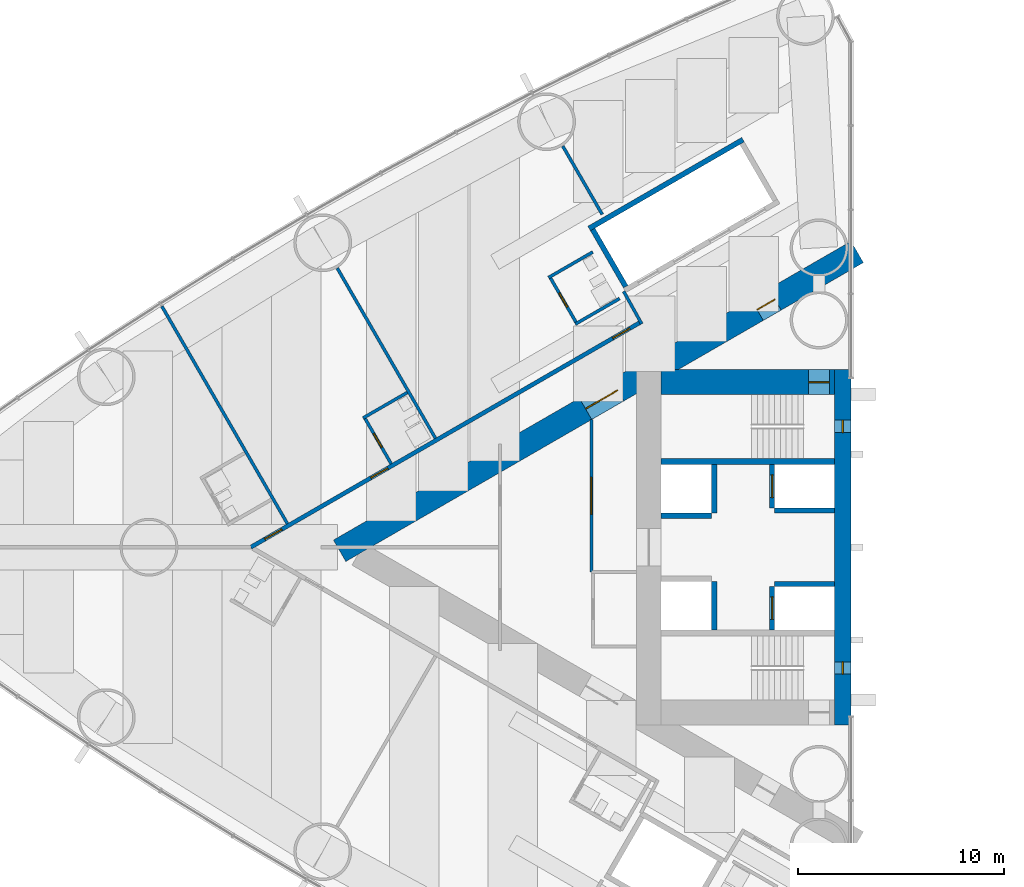
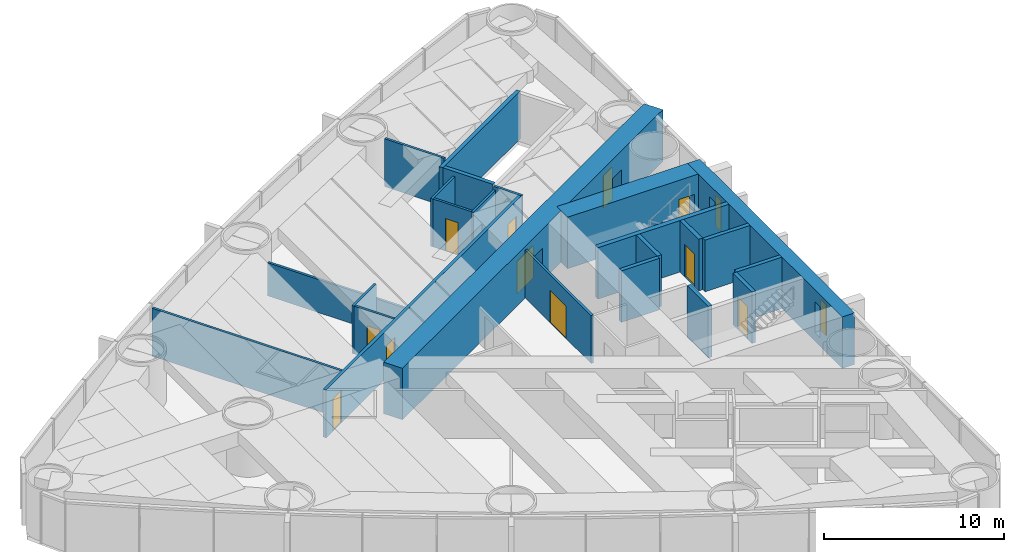
# One storey, part 12 of 19: 24 walls, 11 doors, 2 windows, 13 openings.
"""IFC4 building model written with IfcOpenShell, lengths in metres."""

from ifc_helpers import new_model, si_unit, direction, frame, frame_2d, origin, place, context, subcontext, project, spatial, rectangle, extrude, material, layer, layer_set, type_object, element, fill, save


model = new_model("IFC4")

# Units and contexts
model_context = context("Model", 3, precision=1e-05, world=origin(), true_north=direction((0.0, 1.0)))
body_context = subcontext(model_context, "Body", "Model", "MODEL_VIEW")
ifc_project = project(units=[si_unit("LENGTHUNIT", "METRE"), si_unit("AREAUNIT", "SQUARE_METRE"), si_unit("VOLUMEUNIT", "CUBIC_METRE"), si_unit("PLANEANGLEUNIT", "RADIAN"), si_unit("MASSUNIT", "GRAM", prefix="KILO")], contexts=[model_context])

# Site, building, storey
site_placement = place(None, origin())
site = spatial("IfcSite", under=ifc_project, at=site_placement, CompositionType="ELEMENT")
building_placement = place(site_placement, origin())
building = spatial("IfcBuilding", under=site, at=building_placement, Name="Lancet Gate Hotel", CompositionType="ELEMENT")
storey_placement = place(building_placement, frame((0.0, 0.0, 63.5)))
storey = spatial("IfcBuildingStorey", under=building, at=storey_placement, Name="L16", CompositionType="ELEMENT", Elevation=63.5)

# Wall
ifc_material_1 = material(Name="Moisture resistant board partition")
ifc_layer_1 = layer(ifc_material_1, 0.14990234375)
ifc_layer_set_1 = layer_set([ifc_layer_1], Name="Bathroom wall 150")
wall_type_1 = type_object("IfcWallType", Name="Bathroom wall 150", PredefinedType="PARTITIONING", material=ifc_layer_set_1)
wall_1_placement = place(storey_placement, frame((-48.99169921875, 7.491943359375, 0.0), z_axis=(0.0, 0.0, 1.0), x_axis=(-0.866031185235, -0.4999899861, 0.0)))
element("IfcWall", 1, at=wall_1_placement, inside=storey, type_object=wall_type_1, Name="T1 bathroom wall 150 L16", PredefinedType="PARTITIONING", context=body_context, shape_type="SweptSolid", body=[
    extrude(rectangle(XDim=2.47509765625, YDim=0.14990234375, at=frame_2d((1.237548828125, 0.0))), origin(), (0.0, 0.0, 1.0), 3.25),
])

# Wall, opening, door
wall_2_placement = place(storey_placement, frame((-49.770263671875, 4.040283203125, 0.0), z_axis=(0.0, 0.0, 1.0), x_axis=(-0.500006934395, 0.866021400173, 0.0)))
wall_2 = element("IfcWall", 2, at=wall_2_placement, inside=storey, type_object=wall_type_1, Name="T1 bathroom wall 150 L16", PredefinedType="PARTITIONING", context=body_context, shape_type="SweptSolid", body=[
    extrude(rectangle(XDim=2.60009765625, YDim=0.14990234375, at=frame_2d((1.300048828125, 0.0))), origin(), (0.0, 0.0, 1.0), 3.25),
])
opening_1_placement = place(wall_2_placement, frame((0.89990234375, 0.0, 0.0)))
opening_1 = element("IfcOpeningElement", 3, at=opening_1_placement, cuts=wall_2, Name="Opening 1603-B", PredefinedType="OPENING", context=body_context, shape_type="SweptSolid", body=[
    extrude(rectangle(XDim=0.800048828125, YDim=2.199951171875, at=frame_2d((0.39990234375, 1.10009765625))), frame((0.0, 0.0849609375, 0.0), z_axis=(0.0, -1.0, 0.0), x_axis=(1.0, 0.0, 0.0)), (0.0, 0.0, 1.0), 0.169921875),
])
ifc_material_2 = material(Name="Timber door set", Category="wood")
door_type_1 = type_object("IfcDoorType", Name="Bathroom door 800", OperationType="SINGLE_SWING_RIGHT", PredefinedType="DOOR", material=ifc_material_2)
door_1_placement = place(opening_1_placement, origin())
door_1 = element("IfcDoor", 4, at=door_1_placement, inside=storey, type_object=door_type_1, Name="1603-B", OperationType="SINGLE_SWING_RIGHT", OverallHeight=2.199951171875, OverallWidth=0.800048828125, PredefinedType="DOOR", context=body_context, shape_type="SweptSolid", body=[
    extrude(rectangle(XDim=0.800048828125, YDim=2.199951171875, at=frame_2d((0.39990234375, 1.10009765625))), frame((0.0, 0.02490234375, 0.0), z_axis=(0.0, -1.0, 0.0), x_axis=(1.0, 0.0, 0.0)), (0.0, 0.0, 1.0), 0.050048828125),
])
fill(opening_1, door_1)

# Wall
wall_3_placement = place(storey_placement, frame((-40.009765625, 14.294189453125, 0.0), z_axis=(0.0, 0.0, 1.0), x_axis=(-0.866031185235, -0.4999899861, 0.0)))
element("IfcWall", 5, at=wall_3_placement, inside=storey, type_object=wall_type_1, Name="T1 bathroom wall 150 L16", PredefinedType="PARTITIONING", context=body_context, shape_type="SweptSolid", body=[
    extrude(rectangle(XDim=2.47509765625, YDim=0.14990234375, at=frame_2d((1.237548828125, 0.0))), origin(), (0.0, 0.0, 1.0), 3.25),
])

# Wall, opening, door
wall_4_placement = place(storey_placement, frame((-40.788330078125, 10.842529296875, 0.0), z_axis=(0.0, 0.0, 1.0), x_axis=(-0.500006934395, 0.866021400173, 0.0)))
wall_4 = element("IfcWall", 6, at=wall_4_placement, inside=storey, type_object=wall_type_1, Name="T1 bathroom wall 150 L16", PredefinedType="PARTITIONING", context=body_context, shape_type="SweptSolid", body=[
    extrude(rectangle(XDim=2.60009765625, YDim=0.14990234375, at=frame_2d((1.300048828125, 0.0))), origin(), (0.0, 0.0, 1.0), 3.25),
])
opening_2_placement = place(wall_4_placement, frame((0.89990234375, 0.0, 0.0)))
opening_2 = element("IfcOpeningElement", 7, at=opening_2_placement, cuts=wall_4, Name="Opening 1602-B", PredefinedType="OPENING", context=body_context, shape_type="SweptSolid", body=[
    extrude(rectangle(XDim=0.800048828125, YDim=2.199951171875, at=frame_2d((0.39990234375, 1.10009765625))), frame((0.0, 0.0849609375, 0.0), z_axis=(0.0, -1.0, 0.0), x_axis=(1.0, 0.0, 0.0)), (0.0, 0.0, 1.0), 0.169921875),
])
door_2_placement = place(opening_2_placement, origin())
door_2 = element("IfcDoor", 8, at=door_2_placement, inside=storey, type_object=door_type_1, Name="1602-B", OperationType="SINGLE_SWING_RIGHT", OverallHeight=2.199951171875, OverallWidth=0.800048828125, PredefinedType="DOOR", context=body_context, shape_type="SweptSolid", body=[
    extrude(rectangle(XDim=0.800048828125, YDim=2.199951171875, at=frame_2d((0.39990234375, 1.10009765625))), frame((0.0, 0.02490234375, 0.0), z_axis=(0.0, -1.0, 0.0), x_axis=(1.0, 0.0, 0.0)), (0.0, 0.0, 1.0), 0.050048828125),
])
fill(opening_2, door_2)

# Wall
wall_5_placement = place(storey_placement, frame((-38.7099609375, 12.04248046875, 0.0), z_axis=(0.0, 0.0, 1.0), x_axis=(-0.86604923931, -0.499958713387, 0.0)))
element("IfcWall", 9, at=wall_5_placement, inside=storey, type_object=wall_type_1, Name="T1 bathroom wall 150 L16", PredefinedType="PARTITIONING", context=body_context, shape_type="SweptSolid", body=[
    extrude(rectangle(XDim=2.474853515625, YDim=0.14990234375, at=frame_2d((1.2373046875, 0.0))), origin(), (0.0, 0.0, 1.0), 3.25),
])

# Wall, openings, doors
ifc_material_3 = material(Name="Concrete C70/85", Category="concrete")
ifc_layer_2 = layer(ifc_material_3, 1.199951171875)
ifc_layer_set_2 = layer_set([ifc_layer_2], Name="Buttress wall 1200")
wall_type_2 = type_object("IfcWallType", Name="Buttress wall 1200", PredefinedType="SHEAR", material=ifc_layer_set_2)
wall_6_placement = place(storey_placement, frame((-27.199951171875, 14.300048828125, 0.0), z_axis=(0.0, 0.0, 1.0), x_axis=(-0.866026593062, -0.499997940104, 0.0)))
wall_6 = element("IfcWall", 10, at=wall_6_placement, inside=storey, type_object=wall_type_2, Name="T1 buttress wall S L16", PredefinedType="SHEAR", context=body_context, shape_type="SweptSolid", body=[
    extrude(rectangle(XDim=28.9462890625, YDim=1.199951171875, at=frame_2d((14.47314453125, 0.0))), origin(), (0.0, 0.0, 1.0), 3.5),
])
opening_3_placement = place(wall_6_placement, frame((4.60009765625, 0.0, 0.0)))
opening_3 = element("IfcOpeningElement", 11, at=opening_3_placement, cuts=wall_6, Name="Opening T1-L16-LS", PredefinedType="OPENING", context=body_context, shape_type="SweptSolid", body=[
    extrude(rectangle(XDim=1.0, YDim=2.199951171875, at=frame_2d((0.5, 1.10009765625))), frame((0.0, 0.60986328125, 0.0), z_axis=(0.0, -1.0, 0.0), x_axis=(1.0, 0.0, 0.0)), (0.0, 0.0, 1.0), 1.219970703125),
])
opening_4_placement = place(wall_6_placement, frame((13.39453125, 0.0, 0.0)))
opening_4 = element("IfcOpeningElement", 12, at=opening_4_placement, cuts=wall_6, Name="Opening T1-L16-LHS", PredefinedType="OPENING", context=body_context, shape_type="SweptSolid", body=[
    extrude(rectangle(XDim=1.800048828125, YDim=2.199951171875, at=frame_2d((0.89990234375, 1.10009765625))), frame((0.0, 0.60986328125, 0.0), z_axis=(0.0, -1.0, 0.0), x_axis=(1.0, 0.0, 0.0)), (0.0, 0.0, 1.0), 1.219970703125),
])
ifc_material_4 = material(Name="Timber door set", Category="wood")
door_type_2 = type_object("IfcDoorType", Name="Lobby double door 1800", OperationType="DOUBLE_DOOR_SINGLE_SWING", PredefinedType="DOOR", material=ifc_material_4)
door_3_placement = place(opening_4_placement, origin())
door_3 = element("IfcDoor", 13, at=door_3_placement, inside=storey, type_object=door_type_2, Name="T1-L16-LHS", OperationType="DOUBLE_DOOR_SINGLE_SWING", OverallHeight=2.199951171875, OverallWidth=1.800048828125, PredefinedType="DOOR", context=body_context, shape_type="SweptSolid", body=[
    extrude(rectangle(XDim=1.800048828125, YDim=2.199951171875, at=frame_2d((0.89990234375, 1.10009765625))), frame((0.0, 0.02490234375, 0.0), z_axis=(0.0, -1.0, 0.0), x_axis=(1.0, 0.0, 0.0)), (0.0, 0.0, 1.0), 0.050048828125),
])
fill(opening_4, door_3)
ifc_material_5 = material(Name="Timber door set", Category="wood")
door_type_3 = type_object("IfcDoorType", Name="Stair lobby door 1000", OperationType="SINGLE_SWING_LEFT", PredefinedType="DOOR", material=ifc_material_5)
door_4_placement = place(opening_3_placement, origin())
door_4 = element("IfcDoor", 14, at=door_4_placement, inside=storey, type_object=door_type_3, Name="T1-L16-LS", OperationType="SINGLE_SWING_LEFT", OverallHeight=2.199951171875, OverallWidth=1.0, PredefinedType="DOOR", context=body_context, shape_type="SweptSolid", body=[
    extrude(rectangle(XDim=1.0, YDim=2.199951171875, at=frame_2d((0.5, 1.10009765625))), frame((0.0, 0.02490234375, 0.0), z_axis=(0.0, -1.0, 0.0), x_axis=(1.0, 0.0, 0.0)), (0.0, 0.0, 1.0), 0.050048828125),
])
fill(opening_3, door_4)

# Wall, opening, door
ifc_material_6 = material(Name="Concrete C70/85", Category="concrete")
ifc_layer_3 = layer(ifc_material_6, 1.199951171875)
ifc_layer_set_3 = layer_set([ifc_layer_3], Name="Core wall 1200")
wall_type_3 = type_object("IfcWallType", Name="Core wall 1200", PredefinedType="SHEAR", material=ifc_layer_set_3)
wall_7_placement = place(storey_placement, frame((-28.300048828125, 8.0, 0.0), z_axis=(0.0, 0.0, 1.0), x_axis=(-1.0, 0.0, 0.0)))
wall_7 = element("IfcWall", 15, at=wall_7_placement, inside=storey, type_object=wall_type_3, Name="T1 core wall side-S L16", PredefinedType="SHEAR", context=body_context, shape_type="SweptSolid", body=[
    extrude(rectangle(XDim=8.39990234375, YDim=1.199951171875, at=frame_2d((4.199951171875, 0.0))), origin(), (0.0, 0.0, 1.0), 3.5),
])
opening_5_placement = place(wall_7_placement, frame((0.25, 0.0, 0.0)))
opening_5 = element("IfcOpeningElement", 16, at=opening_5_placement, cuts=wall_7, Name="Opening T1-L16-ST1", PredefinedType="OPENING", context=body_context, shape_type="SweptSolid", body=[
    extrude(rectangle(XDim=1.0, YDim=2.199951171875, at=frame_2d((0.5, 1.10009765625))), frame((0.0, 0.60986328125, 0.0), z_axis=(0.0, -1.0, 0.0), x_axis=(1.0, 0.0, 0.0)), (0.0, 0.0, 1.0), 1.219970703125),
])
ifc_material_7 = material(Name="Timber door set", Category="wood")
door_type_4 = type_object("IfcDoorType", Name="Stair door 1000", OperationType="SINGLE_SWING_RIGHT", PredefinedType="DOOR", material=ifc_material_7)
door_5_placement = place(opening_5_placement, origin())
door_5 = element("IfcDoor", 17, at=door_5_placement, inside=storey, type_object=door_type_4, Name="T1-L16-ST1", OperationType="SINGLE_SWING_RIGHT", OverallHeight=2.199951171875, OverallWidth=1.0, PredefinedType="DOOR", context=body_context, shape_type="SweptSolid", body=[
    extrude(rectangle(XDim=1.0, YDim=2.199951171875, at=frame_2d((0.5, 1.10009765625))), frame((0.0, 0.02490234375, 0.0), z_axis=(0.0, -1.0, 0.0), x_axis=(1.0, 0.0, 0.0)), (0.0, 0.0, 1.0), 0.050048828125),
])
fill(opening_5, door_5)

# Wall, openings, windows
ifc_material_8 = material(Name="Concrete C70/85", Category="concrete")
ifc_layer_4 = layer(ifc_material_8, 0.800048828125)
ifc_layer_set_4 = layer_set([ifc_layer_4], Name="Core wall 800")
wall_type_4 = type_object("IfcWallType", Name="Core wall 800", PredefinedType="SHEAR", material=ifc_layer_set_4)
wall_8_placement = place(storey_placement, frame((-27.89990234375, 8.60009765625, 0.0), z_axis=(0.0, 0.0, 1.0), x_axis=(0.0, -1.0, 0.0)))
wall_8 = element("IfcWall", 18, at=wall_8_placement, inside=storey, type_object=wall_type_4, Name="T1 core wall front L16", PredefinedType="SHEAR", context=body_context, shape_type="SweptSolid", body=[
    extrude(rectangle(XDim=17.2001953125, YDim=0.800048828125, at=frame_2d((8.60009765625, 0.0))), origin(), (0.0, 0.0, 1.0), 3.5),
])
opening_6_placement = place(wall_8_placement, frame((2.449951171875, 0.0, 0.60009765625)))
opening_6 = element("IfcOpeningElement", 19, at=opening_6_placement, cuts=wall_8, Name="Opening LW1", PredefinedType="OPENING", context=body_context, shape_type="SweptSolid", body=[
    extrude(rectangle(XDim=0.60009765625, YDim=2.10009765625, at=frame_2d((0.300048828125, 1.050048828125))), frame((0.0, 0.409912109375, 0.0), z_axis=(0.0, -1.0, 0.0), x_axis=(1.0, 0.0, 0.0)), (0.0, 0.0, 1.0), 0.820068359375),
])
opening_7_placement = place(wall_8_placement, frame((14.14990234375, 0.0, 0.60009765625)))
opening_7 = element("IfcOpeningElement", 20, at=opening_7_placement, cuts=wall_8, Name="Opening LW1", PredefinedType="OPENING", context=body_context, shape_type="SweptSolid", body=[
    extrude(rectangle(XDim=0.60009765625, YDim=2.10009765625, at=frame_2d((0.300048828125, 1.050048828125))), frame((0.0, 0.409912109375, 0.0), z_axis=(0.0, -1.0, 0.0), x_axis=(1.0, 0.0, 0.0)), (0.0, 0.0, 1.0), 0.820068359375),
])
ifc_material_9 = material(Name="Fire-resisting glazed steel window", Category="steel")
window_type = type_object("IfcWindowType", Name="Lancet window 600x2100", PartitioningType="SINGLE_PANEL", PredefinedType="WINDOW", material=ifc_material_9)
window_1_placement = place(opening_6_placement, origin())
window_1 = element("IfcWindow", 21, at=window_1_placement, inside=storey, type_object=window_type, Name="T1 stair window S L16", OverallHeight=2.10009765625, OverallWidth=0.60009765625, PartitioningType="SINGLE_PANEL", PredefinedType="WINDOW", context=body_context, shape_type="SweptSolid", body=[
    extrude(rectangle(XDim=0.60009765625, YDim=2.10009765625, at=frame_2d((0.300048828125, 1.050048828125))), frame((0.0, 0.030029296875, 0.0), z_axis=(0.0, -1.0, 0.0), x_axis=(1.0, 0.0, 0.0)), (0.0, 0.0, 1.0), 0.06005859375),
])
fill(opening_6, window_1)
window_2_placement = place(opening_7_placement, origin())
window_2 = element("IfcWindow", 22, at=window_2_placement, inside=storey, type_object=window_type, Name="T1 stair window N L16", OverallHeight=2.10009765625, OverallWidth=0.60009765625, PartitioningType="SINGLE_PANEL", PredefinedType="WINDOW", context=body_context, shape_type="SweptSolid", body=[
    extrude(rectangle(XDim=0.60009765625, YDim=2.10009765625, at=frame_2d((0.300048828125, 1.050048828125))), frame((0.0, 0.030029296875, 0.0), z_axis=(0.0, -1.0, 0.0), x_axis=(1.0, 0.0, 0.0)), (0.0, 0.0, 1.0), 0.06005859375),
])
fill(opening_7, window_2)

# Wall, openings, doors
ifc_material_10 = material(Name="Gypsum board partition")
ifc_layer_5 = layer(ifc_material_10, 0.199951171875)
ifc_layer_set_5 = layer_set([ifc_layer_5], Name="Corridor wall 200")
wall_type_5 = type_object("IfcWallType", Name="Corridor wall 200", PredefinedType="PARTITIONING", material=ifc_layer_set_5)
wall_9_placement = place(storey_placement, frame((-37.699951171875, 10.8935546875, 0.0), z_axis=(0.0, 0.0, 1.0), x_axis=(-0.866027905338, -0.499995667157, 0.0)))
wall_9 = element("IfcWall", 23, at=wall_9_placement, inside=storey, type_object=wall_type_5, Name="T1 corridor wall 200 L16", PredefinedType="PARTITIONING", context=body_context, shape_type="SweptSolid", body=[
    extrude(rectangle(XDim=21.787353515625, YDim=0.199951171875, at=frame_2d((10.8935546875, 0.0))), origin(), (0.0, 0.0, 1.0), 3.25),
])
opening_8_placement = place(wall_9_placement, frame((14.129638671875, 0.0, 0.0)))
opening_8 = element("IfcOpeningElement", 24, at=opening_8_placement, cuts=wall_9, Name="Opening 1603-E", PredefinedType="OPENING", context=body_context, shape_type="SweptSolid", body=[
    extrude(rectangle(XDim=0.949951171875, YDim=2.199951171875, at=frame_2d((0.47509765625, 1.10009765625))), frame((0.0, 0.10986328125, 0.0), z_axis=(0.0, -1.0, 0.0), x_axis=(1.0, 0.0, 0.0)), (0.0, 0.0, 1.0), 0.219970703125),
])
opening_9_placement = place(wall_9_placement, frame((20.05810546875, 0.0, 0.0)))
opening_9 = element("IfcOpeningElement", 25, at=opening_9_placement, cuts=wall_9, Name="Opening 1604-E", PredefinedType="OPENING", context=body_context, shape_type="SweptSolid", body=[
    extrude(rectangle(XDim=0.949951171875, YDim=2.199951171875, at=frame_2d((0.47509765625, 1.10009765625))), frame((0.0, 0.10986328125, 0.0), z_axis=(0.0, -1.0, 0.0), x_axis=(1.0, 0.0, 0.0)), (0.0, 0.0, 1.0), 0.219970703125),
])
opening_10_placement = place(wall_9_placement, frame((0.60009765625, 0.0, 0.0)))
opening_10 = element("IfcOpeningElement", 26, at=opening_10_placement, cuts=wall_9, Name="Opening 1602-E", PredefinedType="OPENING", context=body_context, shape_type="SweptSolid", body=[
    extrude(rectangle(XDim=0.949951171875, YDim=2.199951171875, at=frame_2d((0.47509765625, 1.10009765625))), frame((0.0, 0.10986328125, 0.0), z_axis=(0.0, -1.0, 0.0), x_axis=(1.0, 0.0, 0.0)), (0.0, 0.0, 1.0), 0.219970703125),
])
ifc_material_11 = material(Name="Timber door set", Category="wood")
door_type_5 = type_object("IfcDoorType", Name="Guest room entry door 950", OperationType="SINGLE_SWING_LEFT", PredefinedType="DOOR", material=ifc_material_11)
door_6_placement = place(opening_8_placement, origin())
door_6 = element("IfcDoor", 27, at=door_6_placement, inside=storey, type_object=door_type_5, Name="1603-E", OperationType="SINGLE_SWING_LEFT", OverallHeight=2.199951171875, OverallWidth=0.949951171875, PredefinedType="DOOR", context=body_context, shape_type="SweptSolid", body=[
    extrude(rectangle(XDim=0.949951171875, YDim=2.199951171875, at=frame_2d((0.47509765625, 1.10009765625))), frame((0.0, 0.02490234375, 0.0), z_axis=(0.0, -1.0, 0.0), x_axis=(1.0, 0.0, 0.0)), (0.0, 0.0, 1.0), 0.050048828125),
])
fill(opening_8, door_6)
door_7_placement = place(opening_9_placement, origin())
door_7 = element("IfcDoor", 28, at=door_7_placement, inside=storey, type_object=door_type_5, Name="1604-E", OperationType="SINGLE_SWING_LEFT", OverallHeight=2.199951171875, OverallWidth=0.949951171875, PredefinedType="DOOR", context=body_context, shape_type="SweptSolid", body=[
    extrude(rectangle(XDim=0.949951171875, YDim=2.199951171875, at=frame_2d((0.47509765625, 1.10009765625))), frame((0.0, 0.02490234375, 0.0), z_axis=(0.0, -1.0, 0.0), x_axis=(1.0, 0.0, 0.0)), (0.0, 0.0, 1.0), 0.050048828125),
])
fill(opening_9, door_7)
door_8_placement = place(opening_10_placement, origin())
door_8 = element("IfcDoor", 29, at=door_8_placement, inside=storey, type_object=door_type_5, Name="1602-E", OperationType="SINGLE_SWING_LEFT", OverallHeight=2.199951171875, OverallWidth=0.949951171875, PredefinedType="DOOR", context=body_context, shape_type="SweptSolid", body=[
    extrude(rectangle(XDim=0.949951171875, YDim=2.199951171875, at=frame_2d((0.47509765625, 1.10009765625))), frame((0.0, 0.02490234375, 0.0), z_axis=(0.0, -1.0, 0.0), x_axis=(1.0, 0.0, 0.0)), (0.0, 0.0, 1.0), 0.050048828125),
])
fill(opening_10, door_8)

# Walls
ifc_material_12 = material(Name="Gypsum board partition")
ifc_layer_6 = layer(ifc_material_12, 0.25)
ifc_layer_set_6 = layer_set([ifc_layer_6], Name="Lift shaft partition 250")
wall_type_6 = type_object("IfcWallType", Name="Lift shaft partition 250", PredefinedType="PARTITIONING", material=ifc_layer_set_6)
wall_10_placement = place(storey_placement, frame((-32.735595703125, 19.73583984375, 0.0), z_axis=(0.0, 0.0, 1.0), x_axis=(-0.866028165386, -0.499995216735, 0.0)))
element("IfcWall", 30, at=wall_10_placement, inside=storey, type_object=wall_type_6, Name="T1 lift shaft wall LR L16", PredefinedType="PARTITIONING", context=body_context, shape_type="SweptSolid", body=[
    extrude(rectangle(XDim=8.60009765625, YDim=0.25, at=frame_2d((4.300048828125, 0.0))), origin(), (0.0, 0.0, 1.0), 3.25),
])
wall_11_placement = place(storey_placement, frame((-38.412841796875, 12.617919921875, 0.0), z_axis=(0.0, 0.0, 1.0), x_axis=(-0.499872130319, 0.866099216793, 0.0)))
element("IfcWall", 31, at=wall_11_placement, inside=storey, type_object=wall_type_6, Name="T1 lift shaft wall LR L16", PredefinedType="PARTITIONING", context=body_context, shape_type="SweptSolid", body=[
    extrude(rectangle(XDim=3.200439453125, YDim=0.25, at=frame_2d((1.60009765625, 0.0))), origin(), (0.0, 0.0, 1.0), 3.25),
])

# Wall, opening, door
ifc_material_13 = material(Name="Concrete C50/60", Category="concrete")
ifc_layer_7 = layer(ifc_material_13, 0.25)
ifc_layer_set_7 = layer_set([ifc_layer_7], Name="Lift shaft wall 250")
wall_type_7 = type_object("IfcWallType", Name="Lift shaft wall 250", PredefinedType="SHEAR", material=ifc_layer_set_7)
wall_12_placement = place(storey_placement, frame((-31.324951171875, 4.0, 0.0), z_axis=(0.0, 0.0, 1.0), x_axis=(0.0, -1.0, 0.0)))
wall_12 = element("IfcWall", 32, at=wall_12_placement, inside=storey, type_object=wall_type_7, Name="T1 core wall row1-S L16", PredefinedType="SHEAR", context=body_context, shape_type="SweptSolid", body=[
    extrude(rectangle(XDim=2.10009765625, YDim=0.25, at=frame_2d((1.050048828125, 0.0))), origin(), (0.0, 0.0, 1.0), 3.5),
])
opening_11_placement = place(wall_12_placement, frame((0.5, 0.0, 0.0)))
opening_11 = element("IfcOpeningElement", 33, at=opening_11_placement, cuts=wall_12, Name="Opening T1-SL1-L16", PredefinedType="OPENING", context=body_context, shape_type="SweptSolid", body=[
    extrude(rectangle(XDim=1.10009765625, YDim=2.199951171875, at=frame_2d((0.550048828125, 1.10009765625))), frame((0.0, 0.135009765625, 0.0), z_axis=(0.0, -1.0, 0.0), x_axis=(1.0, 0.0, 0.0)), (0.0, 0.0, 1.0), 0.27001953125),
])
ifc_material_14 = material(Name="Timber door set", Category="wood")
door_type_6 = type_object("IfcDoorType", Name="Service lift landing door 1100", OperationType="SLIDING_TO_LEFT", PredefinedType="USERDEFINED", material=ifc_material_14)
door_9_placement = place(opening_11_placement, origin())
door_9 = element("IfcDoor", 34, at=door_9_placement, inside=storey, type_object=door_type_6, Name="T1-SL1-L16", ObjectType="LIFT LANDING DOOR", OperationType="SLIDING_TO_LEFT", OverallHeight=2.199951171875, OverallWidth=1.10009765625, PredefinedType="USERDEFINED", context=body_context, shape_type="SweptSolid", body=[
    extrude(rectangle(XDim=1.10009765625, YDim=2.199951171875, at=frame_2d((0.550048828125, 1.10009765625))), frame((0.0, 0.02490234375, 0.0), z_axis=(0.0, -1.0, 0.0), x_axis=(1.0, 0.0, 0.0)), (0.0, 0.0, 1.0), 0.050048828125),
])
fill(opening_11, door_9)

# Walls
wall_13_placement = place(storey_placement, frame((-34.125, 4.0, 0.0), z_axis=(0.0, 0.0, 1.0), x_axis=(0.0, -1.0, 0.0)))
element("IfcWall", 35, at=wall_13_placement, inside=storey, type_object=wall_type_7, Name="T1 core wall row2-S L16", PredefinedType="SHEAR", context=body_context, shape_type="SweptSolid", body=[
    extrude(rectangle(XDim=2.35009765625, YDim=0.25, at=frame_2d((1.175048828125, 0.0))), origin(), (0.0, 0.0, 1.0), 3.5),
])
wall_14_placement = place(storey_placement, frame((-28.300048828125, 1.77490234375, 0.0), z_axis=(0.0, 0.0, 1.0), x_axis=(-1.0, 0.0, 0.0)))
element("IfcWall", 36, at=wall_14_placement, inside=storey, type_object=wall_type_7, Name="T1 core wall pass1-S L16", PredefinedType="SHEAR", context=body_context, shape_type="SweptSolid", body=[
    extrude(rectangle(XDim=2.89990234375, YDim=0.25, at=frame_2d((1.449951171875, 0.0))), origin(), (0.0, 0.0, 1.0), 3.5),
])
wall_15_placement = place(storey_placement, frame((-34.25, 1.52490234375, 0.0), z_axis=(0.0, 0.0, 1.0), x_axis=(-1.0, 0.0, 0.0)))
element("IfcWall", 37, at=wall_15_placement, inside=storey, type_object=wall_type_7, Name="T1 core wall pass2-S L16", PredefinedType="SHEAR", context=body_context, shape_type="SweptSolid", body=[
    extrude(rectangle(XDim=2.449951171875, YDim=0.25, at=frame_2d((1.22509765625, 0.0))), origin(), (0.0, 0.0, 1.0), 3.5),
])

# Wall, opening, door
wall_16_placement = place(storey_placement, frame((-31.324951171875, -1.89990234375, 0.0), z_axis=(0.0, 0.0, 1.0), x_axis=(0.0, -1.0, 0.0)))
wall_16 = element("IfcWall", 38, at=wall_16_placement, inside=storey, type_object=wall_type_7, Name="T1 core wall row1-N L16", PredefinedType="SHEAR", context=body_context, shape_type="SweptSolid", body=[
    extrude(rectangle(XDim=2.10009765625, YDim=0.25, at=frame_2d((1.050048828125, 0.0))), origin(), (0.0, 0.0, 1.0), 3.5),
])
opening_12_placement = place(wall_16_placement, frame((0.5, 0.0, 0.0)))
opening_12 = element("IfcOpeningElement", 39, at=opening_12_placement, cuts=wall_16, Name="Opening T1-FL2-L16", PredefinedType="OPENING", context=body_context, shape_type="SweptSolid", body=[
    extrude(rectangle(XDim=1.10009765625, YDim=2.199951171875, at=frame_2d((0.550048828125, 1.10009765625))), frame((0.0, 0.135009765625, 0.0), z_axis=(0.0, -1.0, 0.0), x_axis=(1.0, 0.0, 0.0)), (0.0, 0.0, 1.0), 0.27001953125),
])
ifc_material_15 = material(Name="Steel door set", Category="steel")
door_type_7 = type_object("IfcDoorType", Name="Firefighting lift landing door 1100", OperationType="SLIDING_TO_LEFT", PredefinedType="USERDEFINED", material=ifc_material_15)
door_10_placement = place(opening_12_placement, origin())
door_10 = element("IfcDoor", 40, at=door_10_placement, inside=storey, type_object=door_type_7, Name="T1-FL2-L16", ObjectType="LIFT LANDING DOOR", OperationType="SLIDING_TO_LEFT", OverallHeight=2.199951171875, OverallWidth=1.10009765625, PredefinedType="USERDEFINED", context=body_context, shape_type="SweptSolid", body=[
    extrude(rectangle(XDim=1.10009765625, YDim=2.199951171875, at=frame_2d((0.550048828125, 1.10009765625))), frame((0.0, 0.02490234375, 0.0), z_axis=(0.0, -1.0, 0.0), x_axis=(1.0, 0.0, 0.0)), (0.0, 0.0, 1.0), 0.050048828125),
])
fill(opening_12, door_10)

# Walls
wall_17_placement = place(storey_placement, frame((-34.125, -1.64990234375, 0.0), z_axis=(0.0, 0.0, 1.0), x_axis=(0.0, -1.0, 0.0)))
element("IfcWall", 41, at=wall_17_placement, inside=storey, type_object=wall_type_7, Name="T1 core wall row2-N L16", PredefinedType="SHEAR", context=body_context, shape_type="SweptSolid", body=[
    extrude(rectangle(XDim=2.35009765625, YDim=0.25, at=frame_2d((1.175048828125, 0.0))), origin(), (0.0, 0.0, 1.0), 3.5),
])
wall_18_placement = place(storey_placement, frame((-28.300048828125, -1.77490234375, 0.0), z_axis=(0.0, 0.0, 1.0), x_axis=(-1.0, 0.0, 0.0)))
element("IfcWall", 42, at=wall_18_placement, inside=storey, type_object=wall_type_7, Name="T1 core wall pass1-N L16", PredefinedType="SHEAR", context=body_context, shape_type="SweptSolid", body=[
    extrude(rectangle(XDim=2.89990234375, YDim=0.25, at=frame_2d((1.449951171875, 0.0))), origin(), (0.0, 0.0, 1.0), 3.5),
])
ifc_material_16 = material(Name="Gypsum board partition")
ifc_layer_8 = layer(ifc_material_16, 0.14990234375)
ifc_layer_set_8 = layer_set([ifc_layer_8], Name="Party wall 150")
wall_type_8 = type_object("IfcWallType", Name="Party wall 150", PredefinedType="PARTITIONING", material=ifc_layer_set_8)
wall_19_placement = place(storey_placement, frame((-47.626708984375, 5.27783203125, 0.0), z_axis=(0.0, 0.0, 1.0), x_axis=(-0.500009844318, 0.86601972009, 0.0)))
element("IfcWall", 43, at=wall_19_placement, inside=storey, type_object=wall_type_8, Name="T1 party wall 150 L16", PredefinedType="PARTITIONING", context=body_context, shape_type="SweptSolid", body=[
    extrude(rectangle(XDim=9.510498046875, YDim=0.14990234375, at=frame_2d((4.75537109375, 0.0))), origin(), (0.0, 0.0, 1.0), 2.25),
])
wall_20_placement = place(storey_placement, frame((-54.796142578125, 1.138671875, 0.0), z_axis=(0.0, 0.0, 1.0), x_axis=(-0.499998860433, 0.866026061713, 0.0)))
element("IfcWall", 44, at=wall_20_placement, inside=storey, type_object=wall_type_8, Name="T1 party wall 150 L16", PredefinedType="PARTITIONING", context=body_context, shape_type="SweptSolid", body=[
    extrude(rectangle(XDim=12.15673828125, YDim=0.14990234375, at=frame_2d((6.078369140625, 0.0))), origin(), (0.0, 0.0, 1.0), 3.25),
])
wall_21_placement = place(storey_placement, frame((-39.55078125, 16.11865234375, 0.0), z_axis=(0.0, 0.0, 1.0), x_axis=(-0.500014214979, 0.866017196607, 0.0)))
element("IfcWall", 45, at=wall_21_placement, inside=storey, type_object=wall_type_8, Name="T1 party wall 150 L16", PredefinedType="PARTITIONING", context=body_context, shape_type="SweptSolid", body=[
    extrude(rectangle(XDim=3.81494140625, YDim=0.14990234375, at=frame_2d((1.907470703125, 0.0))), origin(), (0.0, 0.0, 1.0), 3.25),
])
ifc_material_17 = material(Name="Gypsum board partition")
ifc_layer_9 = layer(ifc_material_17, 0.14990234375)
ifc_layer_set_9 = layer_set([ifc_layer_9], Name="Service room wall 150")
wall_type_9 = type_object("IfcWallType", Name="Service room wall 150", PredefinedType="PARTITIONING", material=ifc_layer_set_9)
wall_22_placement = place(storey_placement, frame((-38.513427734375, 12.392333984375, 0.0), z_axis=(0.0, 0.0, 1.0), x_axis=(0.485585508183, -0.874189175317, 0.0)))
element("IfcWall", 46, at=wall_22_placement, inside=storey, type_object=wall_type_9, Name="T1 service room wall 150 L16", PredefinedType="PARTITIONING", context=body_context, shape_type="SweptSolid", body=[
    extrude(rectangle(XDim=1.804931640625, YDim=0.14990234375, at=frame_2d((0.90234375, 0.0))), origin(), (0.0, 0.0, 1.0), 3.25),
])

# Wall, opening, door
wall_23_placement = place(storey_placement, frame((-40.074951171875, 6.173828125, 0.0), z_axis=(0.0, 0.0, 1.0), x_axis=(0.0, -1.0, 0.0)))
wall_23 = element("IfcWall", 47, at=wall_23_placement, inside=storey, type_object=wall_type_9, Name="T1 service room wall 150 L16", PredefinedType="PARTITIONING", context=body_context, shape_type="SweptSolid", body=[
    extrude(rectangle(XDim=7.373779296875, YDim=0.14990234375, at=frame_2d((3.68701171875, 0.0))), origin(), (0.0, 0.0, 1.0), 3.25),
])
opening_13_placement = place(wall_23_placement, frame((2.786865234375, 0.0, 0.0)))
opening_13 = element("IfcOpeningElement", 48, at=opening_13_placement, cuts=wall_23, Name="Opening T1-L16-LH", PredefinedType="OPENING", context=body_context, shape_type="SweptSolid", body=[
    extrude(rectangle(XDim=1.800048828125, YDim=2.199951171875, at=frame_2d((0.89990234375, 1.10009765625))), frame((0.0, 0.0849609375, 0.0), z_axis=(0.0, -1.0, 0.0), x_axis=(1.0, 0.0, 0.0)), (0.0, 0.0, 1.0), 0.169921875),
])
door_11_placement = place(opening_13_placement, origin())
door_11 = element("IfcDoor", 49, at=door_11_placement, inside=storey, type_object=door_type_2, Name="T1-L16-LH", OperationType="DOUBLE_DOOR_SINGLE_SWING", OverallHeight=2.199951171875, OverallWidth=1.800048828125, PredefinedType="DOOR", context=body_context, shape_type="SweptSolid", body=[
    extrude(rectangle(XDim=1.800048828125, YDim=2.199951171875, at=frame_2d((0.89990234375, 1.10009765625))), frame((0.0, 0.02490234375, 0.0), z_axis=(0.0, -1.0, 0.0), x_axis=(1.0, 0.0, 0.0)), (0.0, 0.0, 1.0), 0.050048828125),
])
fill(opening_13, door_11)

# Wall
ifc_material_18 = material(Name="Concrete C50/60", Category="concrete")
ifc_layer_10 = layer(ifc_material_18, 0.300048828125)
ifc_layer_set_10 = layer_set([ifc_layer_10], Name="Stair enclosure wall 300")
wall_type_10 = type_object("IfcWallType", Name="Stair enclosure wall 300", PredefinedType="SHEAR", material=ifc_layer_set_10)
wall_24_placement = place(storey_placement, frame((-28.300048828125, 4.14990234375, 0.0), z_axis=(0.0, 0.0, 1.0), x_axis=(-1.0, 0.0, 0.0)))
element("IfcWall", 50, at=wall_24_placement, inside=storey, type_object=wall_type_10, Name="T1 core wall stair-S L16", PredefinedType="SHEAR", context=body_context, shape_type="SweptSolid", body=[
    extrude(rectangle(XDim=8.39990234375, YDim=0.300048828125, at=frame_2d((4.199951171875, 0.0))), origin(), (0.0, 0.0, 1.0), 3.5),
])

save(model, "model.ifc")
